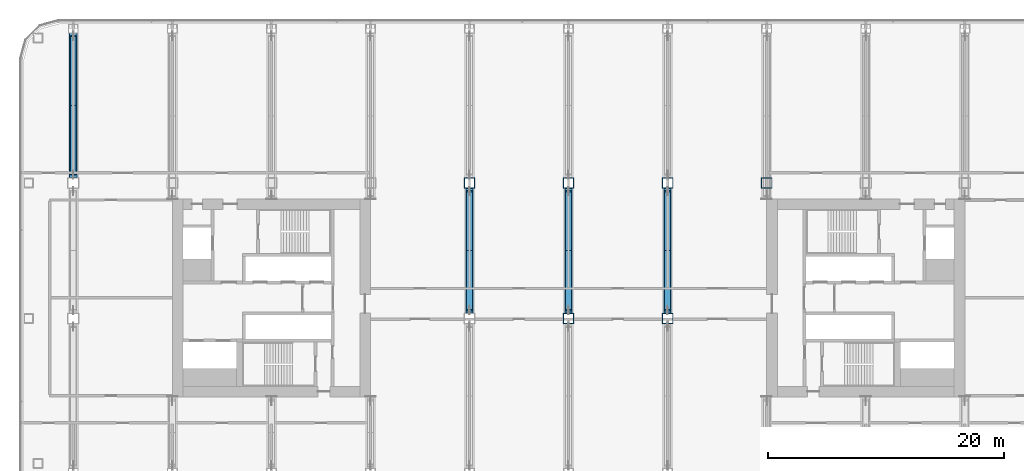
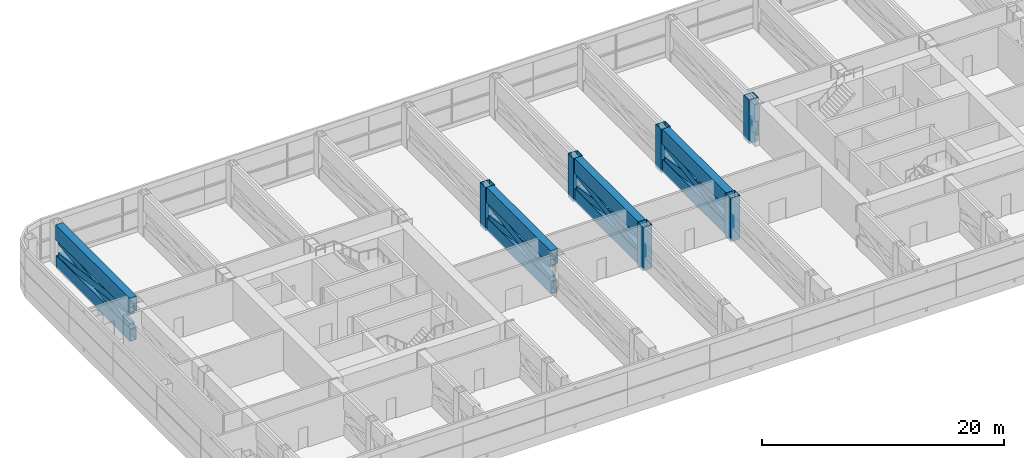
# One storey, part 8 of 31: 22 members.
"""IFC4 building model written with IfcOpenShell, lengths in metres."""

from ifc_helpers import new_model, si_unit, direction, frame, origin, origin_2d, place, context, subcontext, project, spatial, hollow_rectangle, extrude, material, material_profile, profile_set, type_object, element, save


model = new_model("IFC4")

# Units and contexts
model_context = context("Model", 3, precision=1e-05, world=origin(), true_north=direction((0.0, 1.0)))
body_context = subcontext(model_context, "Body", "Model", "MODEL_VIEW")
ifc_project = project(units=[si_unit("LENGTHUNIT", "METRE"), si_unit("AREAUNIT", "SQUARE_METRE"), si_unit("VOLUMEUNIT", "CUBIC_METRE"), si_unit("PLANEANGLEUNIT", "RADIAN"), si_unit("MASSUNIT", "GRAM", prefix="KILO")], contexts=[model_context])

# Site, building, storey
site_placement = place(None, origin())
site = spatial("IfcSite", under=ifc_project, at=site_placement, CompositionType="ELEMENT")
building_placement = place(site_placement, origin())
building = spatial("IfcBuilding", under=site, at=building_placement, Name="Hakoniwa Tower and Hamabe Station Hall", CompositionType="ELEMENT")
storey_placement = place(building_placement, frame((0.0, 0.0, 120.199951171875)))
storey = spatial("IfcBuildingStorey", under=building, at=storey_placement, Name="L34", CompositionType="ELEMENT", Elevation=120.199951171875)

# Members
ifc_material_1 = material(Name="Steel SN490C", Category="steel")
ifc_material_profile_1 = material_profile(ifc_material_1, hollow_rectangle(XDim=0.60009765625, YDim=1.300048828125, WallThickness=0.050048828125, at=origin_2d()), Name="BX-1300x600x50")
ifc_profile_set_1 = profile_set([ifc_material_profile_1], Name="Steel SN490C")
member_type_1 = type_object("IfcMemberType", Name="TRUSS CHORD BX-1300x600x50", PredefinedType="CHORD", material=ifc_profile_set_1)
member_1_placement = place(storey_placement, frame((-42.0, 10.199951171875, 0.35009765625), z_axis=(0.0, 1.0, 0.0), x_axis=(-1.0, 0.0, 0.0)))
element("IfcMember", 1, at=member_1_placement, inside=storey, type_object=member_type_1, Name="Truss T2-03-BC03", PredefinedType="CHORD", context=body_context, shape_type="SweptSolid", body=[
    extrude(hollow_rectangle(XDim=0.60009765625, YDim=1.300048828125, WallThickness=0.050048828125, at=origin_2d()), origin(), (0.0, 0.0, 1.0), 12.25),
])
for number, where, z_axis, x_axis, name in (
    (2, (-8.39990234375, -1.300048828125, 0.35009765625), (0.0, 1.0, 0.0), (-1.0, 0.0, 0.0), "Truss T2-11-BC02"),
    (3, (0.0, -1.300048828125, 0.35009765625), (0.0, 1.0, 0.0), (-1.0, 0.0, 0.0), "Truss T2-12-BC02"),
    (4, (8.39990234375, -1.300048828125, 0.35009765625), (0.0, 1.0, 0.0), (-1.0, 0.0, 0.0), "Truss T2-13-BC02"),
):
    element("IfcMember", number, at=place(storey_placement, frame(where, z_axis=z_axis, x_axis=x_axis)), inside=storey, type_object=member_type_1, Name=name, PredefinedType="CHORD", context=body_context, shape_type="SweptSolid", body=[
        extrude(hollow_rectangle(XDim=0.60009765625, YDim=1.300048828125, WallThickness=0.050048828125, at=origin_2d()), origin(), (0.0, 0.0, 1.0), 10.60009765625),
    ])
ifc_material_2 = material(Name="Steel SN490C", Category="steel")
ifc_material_profile_2 = material_profile(ifc_material_2, hollow_rectangle(XDim=0.699951171875, YDim=1.5, WallThickness=0.054931640625, at=origin_2d()), Name="BX-1500x700x55")
ifc_profile_set_2 = profile_set([ifc_material_profile_2], Name="Steel SN490C")
member_type_2 = type_object("IfcMemberType", Name="TRUSS CHORD BX-1500x700x55", PredefinedType="CHORD", material=ifc_profile_set_2)
member_2_placement = place(storey_placement, frame((-42.0, 10.199951171875, 3.35009765625), z_axis=(0.0, 1.0, 0.0), x_axis=(-1.0, 0.0, 0.0)))
element("IfcMember", 5, at=member_2_placement, inside=storey, type_object=member_type_2, Name="Truss T2-03-TC03", PredefinedType="CHORD", context=body_context, shape_type="SweptSolid", body=[
    extrude(hollow_rectangle(XDim=0.699951171875, YDim=1.5, WallThickness=0.054931640625, at=origin_2d()), origin(), (0.0, 0.0, 1.0), 12.25),
])
for number, where, z_axis, x_axis, name in (
    (6, (-8.39990234375, -1.300048828125, 3.35009765625), (0.0, 1.0, 0.0), (-1.0, 0.0, 0.0), "Truss T2-11-TC02"),
    (7, (0.0, -1.300048828125, 3.35009765625), (0.0, 1.0, 0.0), (-1.0, 0.0, 0.0), "Truss T2-12-TC02"),
    (8, (8.39990234375, -1.300048828125, 3.35009765625), (0.0, 1.0, 0.0), (-1.0, 0.0, 0.0), "Truss T2-13-TC02"),
):
    element("IfcMember", number, at=place(storey_placement, frame(where, z_axis=z_axis, x_axis=x_axis)), inside=storey, type_object=member_type_2, Name=name, PredefinedType="CHORD", context=body_context, shape_type="SweptSolid", body=[
        extrude(hollow_rectangle(XDim=0.699951171875, YDim=1.5, WallThickness=0.054931640625, at=origin_2d()), origin(), (0.0, 0.0, 1.0), 10.60009765625),
    ])
ifc_material_3 = material(Name="Steel SN490C", Category="steel")
ifc_material_profile_3 = material_profile(ifc_material_3, hollow_rectangle(XDim=0.5, YDim=0.699951171875, WallThickness=0.031982421875, at=origin_2d()), Name="BX-700x500x32")
ifc_profile_set_3 = profile_set([ifc_material_profile_3], Name="Steel SN490C")
member_type_3 = type_object("IfcMemberType", Name="TRUSS DIAGONAL BX-700x500x32", PredefinedType="BRACE", material=ifc_profile_set_3)
for number, where, z_axis, x_axis, name in (
    (9, (-42.0, 10.449951171875, 1.0), (0.0, 0.99085470683, 0.134933131411), (-1.0, 0.0, 0.0), "Truss T2-03-D03a"),
    (10, (-42.0, 10.449951171875, 2.60009765625), (0.0, 0.99085470683, -0.134933131411), (-1.0, 0.0, 0.0), "Truss T2-03-D03b"),
):
    element("IfcMember", number, at=place(storey_placement, frame(where, z_axis=z_axis, x_axis=x_axis)), inside=storey, type_object=member_type_3, Name=name, PredefinedType="BRACE", context=body_context, shape_type="SweptSolid", body=[
        extrude(hollow_rectangle(XDim=0.5, YDim=0.699951171875, WallThickness=0.031982421875, at=origin_2d()), origin(), (0.0, 0.0, 1.0), 11.8583984375),
    ])
for number, where, z_axis, x_axis, name in (
    (11, (-8.39990234375, -1.050048828125, 1.0), (0.0, 0.98768230609, 0.156472560651), (-1.0, 0.0, 0.0), "Truss T2-11-D02a"),
    (12, (-8.39990234375, -1.050048828125, 2.60009765625), (0.0, 0.98768230609, -0.156472560651), (-1.0, 0.0, 0.0), "Truss T2-11-D02b"),
    (13, (0.0, -1.050048828125, 1.0), (0.0, 0.98768230609, 0.156472560651), (-1.0, 0.0, 0.0), "Truss T2-12-D02a"),
    (14, (0.0, -1.050048828125, 2.60009765625), (0.0, 0.98768230609, -0.156472560651), (-1.0, 0.0, 0.0), "Truss T2-12-D02b"),
    (15, (8.39990234375, -1.050048828125, 1.0), (0.0, 0.98768230609, 0.156472560651), (-1.0, 0.0, 0.0), "Truss T2-13-D02a"),
    (16, (8.39990234375, -1.050048828125, 2.60009765625), (0.0, 0.98768230609, -0.156472560651), (-1.0, 0.0, 0.0), "Truss T2-13-D02b"),
):
    element("IfcMember", number, at=place(storey_placement, frame(where, z_axis=z_axis, x_axis=x_axis)), inside=storey, type_object=member_type_3, Name=name, PredefinedType="BRACE", context=body_context, shape_type="SweptSolid", body=[
        extrude(hollow_rectangle(XDim=0.5, YDim=0.699951171875, WallThickness=0.031982421875, at=origin_2d()), origin(), (0.0, 0.0, 1.0), 10.22607421875),
    ])
ifc_material_4 = material(Name="Steel SN490C", Category="steel")
ifc_material_profile_4 = material_profile(ifc_material_4, hollow_rectangle(XDim=0.89990234375, YDim=0.89990234375, WallThickness=0.035888671875, at=origin_2d()), Name="BX-900x900x36")
ifc_profile_set_4 = profile_set([ifc_material_profile_4], Name="Steel SN490C")
member_type_4 = type_object("IfcMemberType", Name="TRUSS POST BX-900x900x36", PredefinedType="POST", material=ifc_profile_set_4)
for number, where, z_axis, x_axis, name in (
    (17, (-8.39990234375, 9.75, -0.300048828125), (0.0, 0.0, 1.0), (1.0, 0.0, 0.0), "Truss T2-11-P03"),
    (18, (0.0, -1.75, -0.300048828125), (0.0, 0.0, 1.0), (1.0, 0.0, 0.0), "Truss T2-12-P02"),
    (19, (0.0, 9.75, -0.300048828125), (0.0, 0.0, 1.0), (1.0, 0.0, 0.0), "Truss T2-12-P03"),
    (20, (8.39990234375, -1.75, -0.300048828125), (0.0, 0.0, 1.0), (1.0, 0.0, 0.0), "Truss T2-13-P02"),
    (21, (8.39990234375, 9.75, -0.300048828125), (0.0, 0.0, 1.0), (1.0, 0.0, 0.0), "Truss T2-13-P03"),
    (22, (16.800048828125, 9.75, -0.300048828125), (0.0, 0.0, 1.0), (1.0, 0.0, 0.0), "Truss T2-15-P02"),
):
    element("IfcMember", number, at=place(storey_placement, frame(where, z_axis=z_axis, x_axis=x_axis)), inside=storey, type_object=member_type_4, Name=name, PredefinedType="POST", context=body_context, shape_type="SweptSolid", body=[
        extrude(hollow_rectangle(XDim=0.89990234375, YDim=0.89990234375, WallThickness=0.035888671875, at=origin_2d()), origin(), (0.0, 0.0, 1.0), 4.400146484375),
    ])

save(model, "model.ifc")
